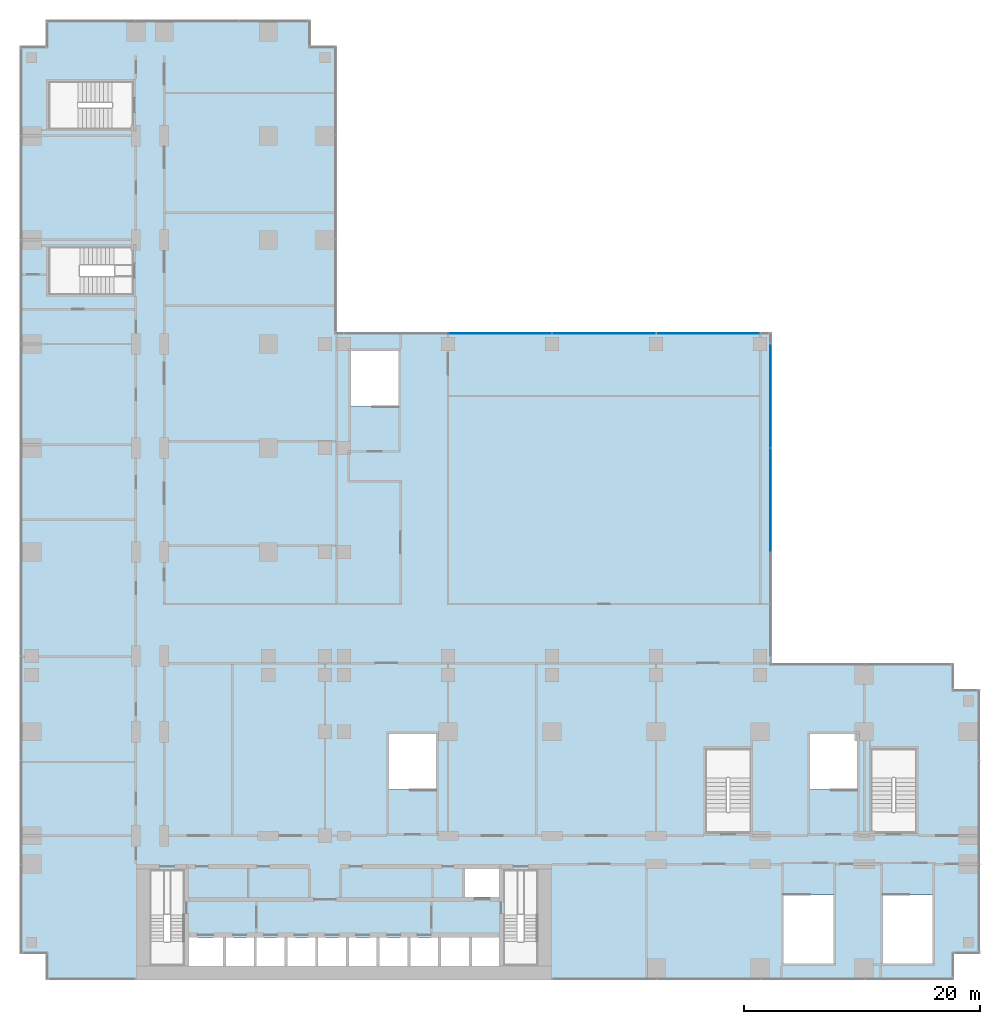
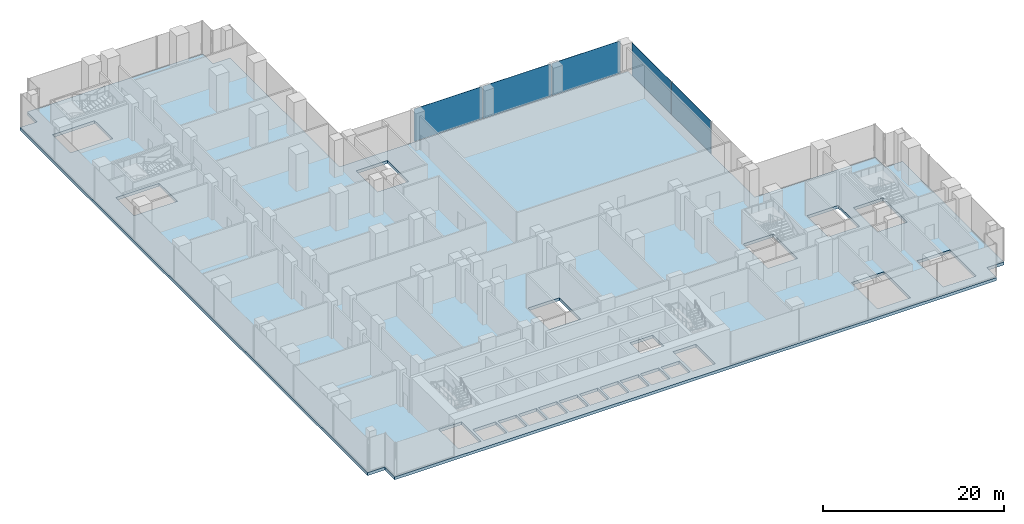
# One storey, part 15 of 27: 5 plates, 1 slab, 2 elements without a shape of their own.
"""IFC4 building model written with IfcOpenShell, lengths in metres."""

from ifc_helpers import new_model, si_unit, direction, frame, origin, origin_2d, place, context, subcontext, project, spatial, polyline, rectangle, outline, extrude, source, transform, mapped, material, layer, layer_set, type_object, element, aggregate, save


model = new_model("IFC4")

# Units and contexts
model_context = context("Model", 3, precision=1e-05, world=origin(), true_north=direction((0.0, 1.0)))
body_context = subcontext(model_context, "Body", "Model", "MODEL_VIEW")
ifc_project = project(units=[si_unit("LENGTHUNIT", "METRE"), si_unit("AREAUNIT", "SQUARE_METRE"), si_unit("VOLUMEUNIT", "CUBIC_METRE"), si_unit("PLANEANGLEUNIT", "RADIAN"), si_unit("MASSUNIT", "GRAM", prefix="KILO")], contexts=[model_context])

# Site, building, storey
site_placement = place(None, origin())
site = spatial("IfcSite", under=ifc_project, at=site_placement, CompositionType="ELEMENT")
building_placement = place(site_placement, origin())
building = spatial("IfcBuilding", under=site, at=building_placement, Name="Kemantara Hotel Tower", CompositionType="ELEMENT")
storey_placement = place(building_placement, frame((0.0, 0.0, 29.0)))
storey = spatial("IfcBuildingStorey", under=building, at=storey_placement, Name="L05", CompositionType="ELEMENT", Elevation=29.0)

# Slab
ifc_material_1 = material(Name="Concrete fc 40 MPa", Category="concrete")
ifc_layer_1 = layer(ifc_material_1, 0.39990234375)
ifc_layer_set_1 = layer_set([ifc_layer_1], Name="Concrete fc 40 MPa")
slab_type = type_object("IfcSlabType", Name="REINFORCED DECK SLAB 400", PredefinedType="FLOOR", material=ifc_layer_set_1)
slab_placement = place(storey_placement, frame((0.0, 0.0, -0.39990234375)))
element("IfcSlab", 1, at=slab_placement, inside=storey, type_object=slab_type, Name="FLOOR SLAB L05", PredefinedType="FLOOR", context=body_context, shape_type="SweptSolid", body=[
    extrude(outline(polyline([(0.0, 2.199951171875), (2.199951171875, 2.199951171875), (2.199951171875, 0.0), (79.0, 0.0), (79.0, 2.199951171875), (81.199951171875, 2.199951171875), (81.199951171875, 24.60009765625), (79.0, 24.60009765625), (79.0, 26.800048828125), (63.60009765625, 26.800048828125), (63.60009765625, 54.800048828125), (26.800048828125, 54.800048828125), (26.800048828125, 79.0), (24.60009765625, 79.0), (24.60009765625, 81.199951171875), (2.199951171875, 81.199951171875), (2.199951171875, 79.0), (0.0, 79.0), (0.0, 2.199951171875)]), holes=[polyline([(17.175048828125, 1.199951171875), (14.22509765625, 1.199951171875), (14.22509765625, 3.60009765625), (17.175048828125, 3.60009765625), (17.175048828125, 1.199951171875)]), polyline([(19.77490234375, 1.199951171875), (17.425048828125, 1.199951171875), (17.425048828125, 3.60009765625), (19.77490234375, 3.60009765625), (19.77490234375, 1.199951171875)]), polyline([(22.375, 1.199951171875), (20.02490234375, 1.199951171875), (20.02490234375, 3.60009765625), (22.375, 3.60009765625), (22.375, 1.199951171875)]), polyline([(22.625, 1.199951171875), (22.625, 3.60009765625), (24.97509765625, 3.60009765625), (24.97509765625, 1.199951171875), (22.625, 1.199951171875)]), polyline([(25.22509765625, 1.199951171875), (25.22509765625, 3.60009765625), (27.574951171875, 3.60009765625), (27.574951171875, 1.199951171875), (25.22509765625, 1.199951171875)]), polyline([(30.175048828125, 1.199951171875), (27.824951171875, 1.199951171875), (27.824951171875, 3.60009765625), (30.175048828125, 3.60009765625), (30.175048828125, 1.199951171875)]), polyline([(30.425048828125, 1.199951171875), (30.425048828125, 3.60009765625), (32.77490234375, 3.60009765625), (32.77490234375, 1.199951171875), (30.425048828125, 1.199951171875)]), polyline([(11.0, 5.49951171875), (13.89990234375, 5.49951171875), (13.89990234375, 1.199951171875), (11.0, 1.199951171875), (11.0, 5.49951171875)]), polyline([(32.0, 53.199951171875), (32.0, 48.50048828125), (28.0, 48.50048828125), (28.0, 53.199951171875), (32.0, 53.199951171875)]), polyline([(7.949462890625, 62.0), (7.949462890625, 58.0), (2.39990234375, 58.0), (2.39990234375, 62.0), (7.949462890625, 62.0)]), polyline([(7.79931640625, 76.0), (7.79931640625, 72.0), (2.39990234375, 72.0), (2.39990234375, 76.0), (7.79931640625, 76.0)]), polyline([(35.375, 1.199951171875), (33.02490234375, 1.199951171875), (33.02490234375, 3.60009765625), (35.375, 3.60009765625), (35.375, 1.199951171875)]), polyline([(37.97509765625, 1.199951171875), (35.625, 1.199951171875), (35.625, 3.60009765625), (37.97509765625, 3.60009765625), (37.97509765625, 1.199951171875)]), polyline([(40.574951171875, 1.199951171875), (38.22509765625, 1.199951171875), (38.22509765625, 3.60009765625), (40.574951171875, 3.60009765625), (40.574951171875, 1.199951171875)]), polyline([(40.89990234375, 5.49951171875), (43.800048828125, 5.49951171875), (43.800048828125, 1.199951171875), (40.89990234375, 1.199951171875), (40.89990234375, 5.49951171875)]), polyline([(64.60009765625, 7.199462890625), (68.800048828125, 7.199462890625), (68.800048828125, 1.39990234375), (64.60009765625, 1.39990234375), (64.60009765625, 7.199462890625)]), polyline([(73.0, 1.39990234375), (73.0, 7.199462890625), (77.199951171875, 7.199462890625), (77.199951171875, 1.39990234375), (73.0, 1.39990234375)]), polyline([(37.625, 7.0), (37.625, 9.39990234375), (40.574951171875, 9.39990234375), (40.574951171875, 7.0), (37.625, 7.0)]), polyline([(61.800048828125, 14.20068359375), (58.0, 14.20068359375), (58.0, 19.60009765625), (61.800048828125, 19.60009765625), (61.800048828125, 14.20068359375)]), polyline([(75.800048828125, 19.60009765625), (75.800048828125, 14.20068359375), (72.0, 14.20068359375), (72.0, 19.60009765625), (75.800048828125, 19.60009765625)]), polyline([(35.199951171875, 16.1005859375), (31.199951171875, 16.1005859375), (31.199951171875, 20.800048828125), (35.199951171875, 20.800048828125), (35.199951171875, 16.1005859375)]), polyline([(70.800048828125, 16.1005859375), (66.800048828125, 16.1005859375), (66.800048828125, 20.800048828125), (70.800048828125, 20.800048828125), (70.800048828125, 16.1005859375)])]), origin(), (0.0, 0.0, 1.0), 0.39990234375),
])

# Curtain wall, plates
ifc_material_2 = material(Name="Laminated tinted insulated glass 44 mm", Category="glass")
curtain_wall_type = type_object("IfcCurtainWallType", Name="PODIUM GLASS CURTAIN WALL", PredefinedType="USERDEFINED", material=ifc_material_2)
curtain_wall_1_placement = place(storey_placement, origin())
curtain_wall_1 = element("IfcCurtainWall", 2, at=curtain_wall_1_placement, inside=storey, type_object=curtain_wall_type, Name="CW1 L05 POD-R08-1", ObjectType="PODIUM GLASS CURTAIN WALL", PredefinedType="USERDEFINED")
ifc_layer_2 = layer(ifc_material_2, 0.0439453125)
ifc_layer_set_2 = layer_set([ifc_layer_2], Name="Laminated tinted insulated glass 44 mm")
plate_type = type_object("IfcPlateType", Name="PODIUM GLASS CURTAIN WALL PANEL", PredefinedType="CURTAIN_PANEL", material=ifc_layer_set_2)
shared_shape = source(origin(), body_context, "Body", "SweptSolid", [
    extrude(rectangle(XDim=8.72509765625, YDim=0.0439453125, at=origin_2d()), origin(), (0.0, 0.0, 1.0), 4.39990234375),
])
plate_1_placement = place(storey_placement, frame((63.5, 40.60009765625, 0.150146484375), z_axis=(0.0, 0.0, 1.0), x_axis=(0.0, 1.0, 0.0)))
plate_1 = element("IfcPlate", 3, at=plate_1_placement, type_object=plate_type, Name="CW1 glass panel POD-R08-1.3", PredefinedType="CURTAIN_PANEL", context=body_context, shape_type="MappedRepresentation", body=[
    mapped(shared_shape, transform((0.0, 0.0, 0.0))),
])
plate_2_placement = place(storey_placement, frame((63.5, 49.39990234375, 0.150146484375), z_axis=(0.0, 0.0, 1.0), x_axis=(0.0, 1.0, 0.0)))
plate_2 = element("IfcPlate", 4, at=plate_2_placement, type_object=plate_type, Name="CW1 glass panel POD-R08-1.4", PredefinedType="CURTAIN_PANEL", context=body_context, shape_type="MappedRepresentation", body=[
    mapped(shared_shape, transform((0.0, 0.0, 0.0))),
])
aggregate(curtain_wall_1, [plate_1, plate_2])

curtain_wall_2_placement = place(storey_placement, origin())
curtain_wall_2 = element("IfcCurtainWall", 5, at=curtain_wall_2_placement, inside=storey, type_object=curtain_wall_type, Name="CW1 L05 POD-R09-1", ObjectType="PODIUM GLASS CURTAIN WALL", PredefinedType="USERDEFINED")
plate_3_placement = place(storey_placement, frame((58.199951171875, 54.699951171875, 0.150146484375), z_axis=(0.0, 0.0, 1.0), x_axis=(-1.0, 0.0, 0.0)))
plate_3 = element("IfcPlate", 6, at=plate_3_placement, type_object=plate_type, Name="CW1 glass panel POD-R09-1.2", PredefinedType="CURTAIN_PANEL", context=body_context, shape_type="MappedRepresentation", body=[
    mapped(shared_shape, transform((0.0, 0.0, 0.0))),
])
plate_4_placement = place(storey_placement, frame((49.39990234375, 54.699951171875, 0.150146484375), z_axis=(0.0, 0.0, 1.0), x_axis=(-1.0, 0.0, 0.0)))
plate_4 = element("IfcPlate", 7, at=plate_4_placement, type_object=plate_type, Name="CW1 glass panel POD-R09-1.3", PredefinedType="CURTAIN_PANEL", context=body_context, shape_type="MappedRepresentation", body=[
    mapped(shared_shape, transform((0.0, 0.0, 0.0))),
])
plate_5_placement = place(storey_placement, frame((40.60009765625, 54.699951171875, 0.150146484375), z_axis=(0.0, 0.0, 1.0), x_axis=(-1.0, 0.0, 0.0)))
plate_5 = element("IfcPlate", 8, at=plate_5_placement, type_object=plate_type, Name="CW1 glass panel POD-R09-1.4", PredefinedType="CURTAIN_PANEL", context=body_context, shape_type="MappedRepresentation", body=[
    mapped(shared_shape, transform((0.0, 0.0, 0.0))),
])
aggregate(curtain_wall_2, [plate_3, plate_4, plate_5])

save(model, "model.ifc")
